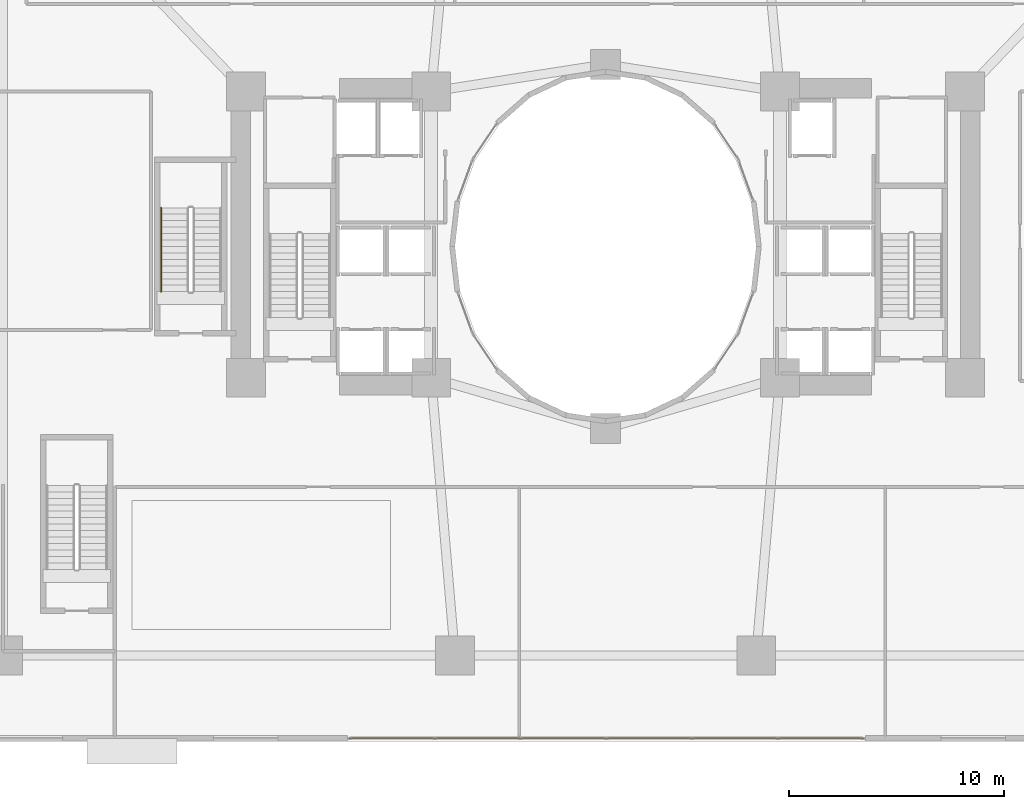
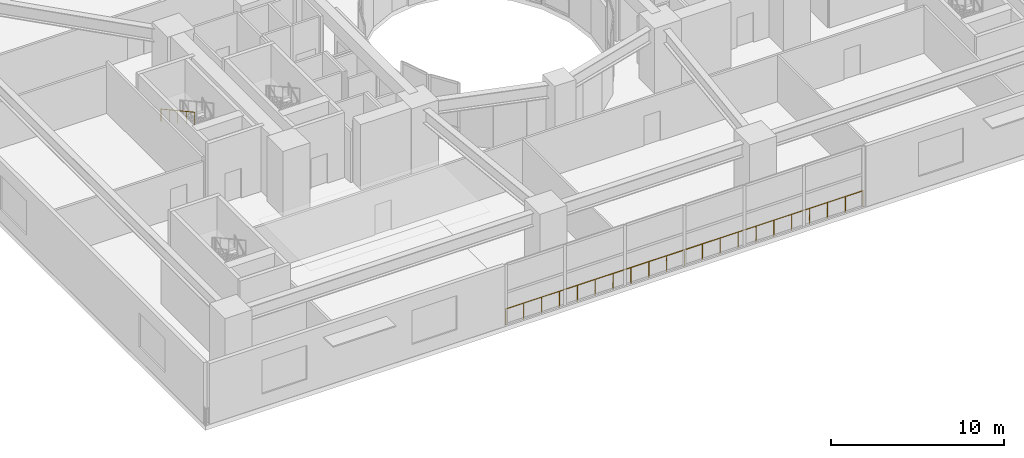
# One storey, part 20 of 25: 2 railings.
"""IFC4 building model written with IfcOpenShell, lengths in metres."""

from ifc_helpers import new_model, si_unit, direction, frame, origin, origin_2d, place, context, subcontext, project, spatial, circle, extrude, material, type_object, element, save


model = new_model("IFC4")

# Units and contexts
model_context = context("Model", 3, precision=1e-05, world=origin(), true_north=direction((0.0, 1.0)))
body_context = subcontext(model_context, "Body", "Model", "MODEL_VIEW")
ifc_project = project(units=[si_unit("LENGTHUNIT", "METRE"), si_unit("AREAUNIT", "SQUARE_METRE"), si_unit("VOLUMEUNIT", "CUBIC_METRE"), si_unit("PLANEANGLEUNIT", "RADIAN"), si_unit("MASSUNIT", "GRAM", prefix="KILO")], contexts=[model_context])

# Site, building, storey
site_placement = place(None, origin())
site = spatial("IfcSite", under=ifc_project, at=site_placement, CompositionType="ELEMENT")
building_placement = place(site_placement, origin())
building = spatial("IfcBuilding", under=site, at=building_placement, Name="Solvane Sanctuary Tower", CompositionType="ELEMENT")
storey_placement = place(building_placement, frame((0.0, 0.0, 13.800048828125)))
storey = spatial("IfcBuildingStorey", under=building, at=storey_placement, Name="L04", CompositionType="ELEMENT", Elevation=13.800048828125)

# Railings
ifc_material = material(Name="Architectural Stainless Steel 316", Category="steel")
railing_type_1 = type_object("IfcRailingType", Name="Railing GR-BALC-1150", PredefinedType="BALUSTRADE", material=ifc_material)
railing_1_placement = place(storey_placement, frame((20.1201171875, 0.14990234375, 0.0)))
element("IfcRailing", 1, at=railing_1_placement, inside=storey, type_object=railing_type_1, Name="L04 Podium Curtain-Wall Sill Guard S2", PredefinedType="BALUSTRADE", context=body_context, shape_type="SweptSolid", body=[
    extrude(circle(Radius=0.02392578125, at=origin_2d()), frame((0.0, 0.0, 1.1259765625), z_axis=(1.0, 0.0, 0.0), x_axis=(0.0, 1.0, 0.0)), (0.0, 0.0, 1.0), 23.83984375),
    extrude(circle(Radius=0.02099609375, at=origin_2d()), origin(), (0.0, 0.0, 1.0), 1.101806640625),
    extrude(circle(Radius=0.02099609375, at=origin_2d()), frame((1.19189453125, 0.0, 0.0)), (0.0, 0.0, 1.0), 1.101806640625),
    extrude(circle(Radius=0.02099609375, at=origin_2d()), frame((2.384033203125, 0.0, 0.0)), (0.0, 0.0, 1.0), 1.101806640625),
    extrude(circle(Radius=0.02099609375, at=origin_2d()), frame((3.575927734375, 0.0, 0.0)), (0.0, 0.0, 1.0), 1.101806640625),
    extrude(circle(Radius=0.02099609375, at=origin_2d()), frame((4.76806640625, 0.0, 0.0)), (0.0, 0.0, 1.0), 1.101806640625),
    extrude(circle(Radius=0.02099609375, at=origin_2d()), frame((5.9599609375, 0.0, 0.0)), (0.0, 0.0, 1.0), 1.101806640625),
    extrude(circle(Radius=0.02099609375, at=origin_2d()), frame((7.15185546875, 0.0, 0.0)), (0.0, 0.0, 1.0), 1.101806640625),
    extrude(circle(Radius=0.02099609375, at=origin_2d()), frame((8.343994140625, 0.0, 0.0)), (0.0, 0.0, 1.0), 1.101806640625),
    extrude(circle(Radius=0.02099609375, at=origin_2d()), frame((9.535888671875, 0.0, 0.0)), (0.0, 0.0, 1.0), 1.101806640625),
    extrude(circle(Radius=0.02099609375, at=origin_2d()), frame((10.72802734375, 0.0, 0.0)), (0.0, 0.0, 1.0), 1.101806640625),
    extrude(circle(Radius=0.02099609375, at=origin_2d()), frame((11.919921875, 0.0, 0.0)), (0.0, 0.0, 1.0), 1.101806640625),
    extrude(circle(Radius=0.02099609375, at=origin_2d()), frame((13.11181640625, 0.0, 0.0)), (0.0, 0.0, 1.0), 1.101806640625),
    extrude(circle(Radius=0.02099609375, at=origin_2d()), frame((14.303955078125, 0.0, 0.0)), (0.0, 0.0, 1.0), 1.101806640625),
    extrude(circle(Radius=0.02099609375, at=origin_2d()), frame((15.495849609375, 0.0, 0.0)), (0.0, 0.0, 1.0), 1.101806640625),
    extrude(circle(Radius=0.02099609375, at=origin_2d()), frame((16.68798828125, 0.0, 0.0)), (0.0, 0.0, 1.0), 1.101806640625),
    extrude(circle(Radius=0.02099609375, at=origin_2d()), frame((17.8798828125, 0.0, 0.0)), (0.0, 0.0, 1.0), 1.101806640625),
    extrude(circle(Radius=0.02099609375, at=origin_2d()), frame((19.07177734375, 0.0, 0.0)), (0.0, 0.0, 1.0), 1.101806640625),
    extrude(circle(Radius=0.02099609375, at=origin_2d()), frame((20.263916015625, 0.0, 0.0)), (0.0, 0.0, 1.0), 1.101806640625),
    extrude(circle(Radius=0.02099609375, at=origin_2d()), frame((21.455810546875, 0.0, 0.0)), (0.0, 0.0, 1.0), 1.101806640625),
    extrude(circle(Radius=0.02099609375, at=origin_2d()), frame((22.64794921875, 0.0, 0.0)), (0.0, 0.0, 1.0), 1.101806640625),
    extrude(circle(Radius=0.02099609375, at=origin_2d()), frame((23.83984375, 0.0, 0.0)), (0.0, 0.0, 1.0), 1.101806640625),
])
railing_type_2 = type_object("IfcRailingType", Name="Railing HR-STAIR-920", PredefinedType="HANDRAIL", material=ifc_material)
railing_2_placement = place(storey_placement, frame((11.35009765625, 24.800048828125, 2.46435546875)))
element("IfcRailing", 2, at=railing_2_placement, inside=storey, type_object=railing_type_2, Name="L04 ST-3 stair handrail 2", PredefinedType="HANDRAIL", context=body_context, shape_type="SweptSolid", body=[
    extrude(circle(Radius=0.02392578125, at=origin_2d()), frame((0.0, 0.0, 0.8759765625), z_axis=(0.0, -0.877124353918, 0.480263331688), x_axis=(1.0, 0.0, 0.0)), (0.0, 0.0, 1.0), 4.446533203125),
    extrude(circle(Radius=0.02099609375, at=origin_2d()), origin(), (0.0, 0.0, 1.0), 0.851806640625),
    extrude(circle(Radius=0.02099609375, at=origin_2d()), frame((0.0, -0.97509765625, 0.533935546875)), (0.0, 0.0, 1.0), 0.851806640625),
    extrude(circle(Radius=0.02099609375, at=origin_2d()), frame((0.0, -1.9501953125, 1.06787109375)), (0.0, 0.0, 1.0), 0.851806640625),
    extrude(circle(Radius=0.02099609375, at=origin_2d()), frame((0.0, -2.925048828125, 1.6015625)), (0.0, 0.0, 1.0), 0.851806640625),
    extrude(circle(Radius=0.02099609375, at=origin_2d()), frame((0.0, -3.900146484375, 2.135498046875)), (0.0, 0.0, 1.0), 0.851806640625),
])

save(model, "model.ifc")
